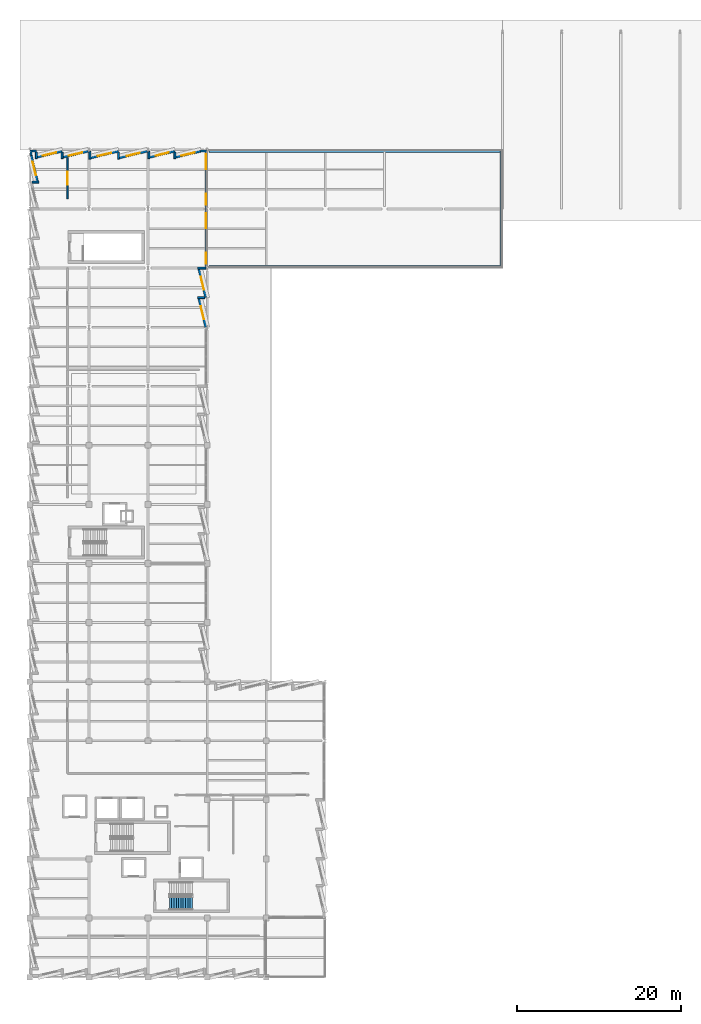
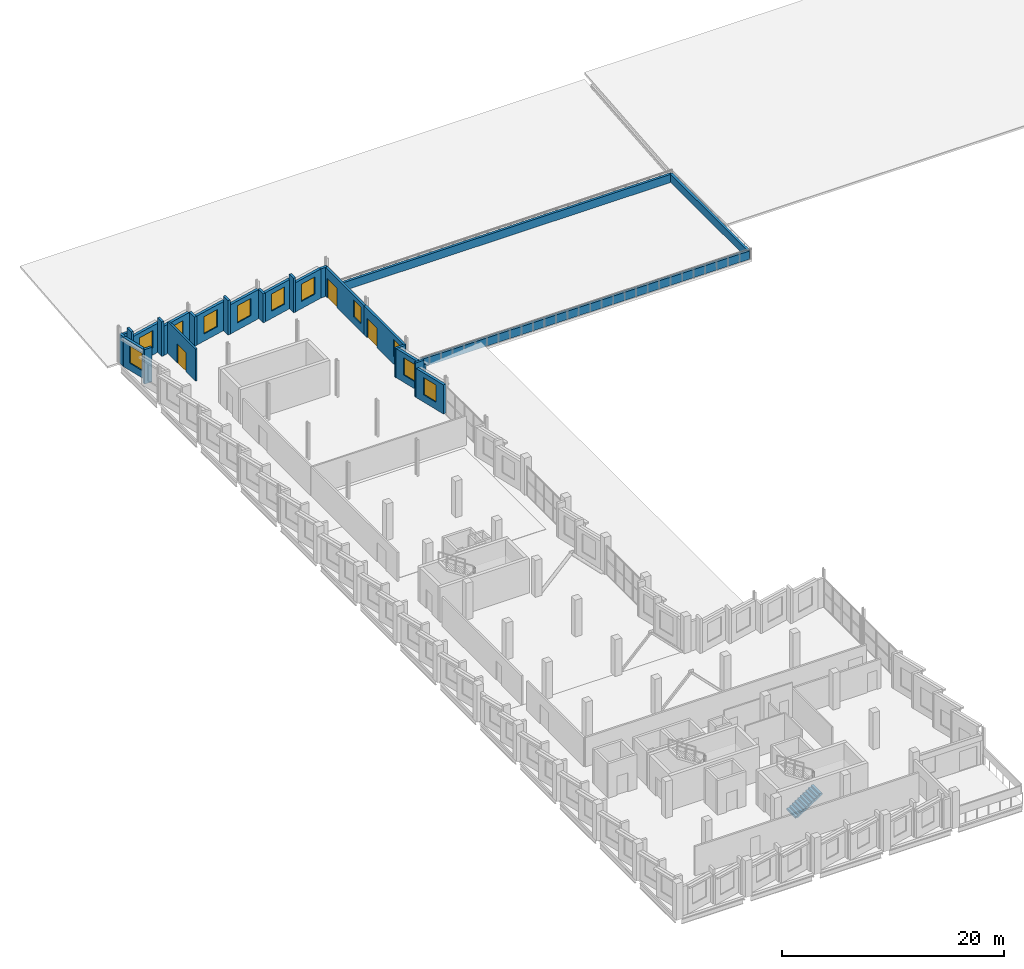
# One storey, part 33 of 38: 27 walls, 11 windows, 3 doors, 1 stair flight, 14 openings, 1 element without a shape of its own.
"""IFC4 building model written with IfcOpenShell, lengths in metres."""

from ifc_helpers import new_model, si_unit, direction, frame, frame_2d, origin, place, context, subcontext, project, spatial, polyline, rectangle, outline, extrude, material, layer, layer_set, type_object, element, fill, aggregate, save


model = new_model("IFC4")

# Units and contexts
model_context = context("Model", 3, precision=1e-05, world=origin(), true_north=direction((0.0, 1.0)))
body_context = subcontext(model_context, "Body", "Model", "MODEL_VIEW")
ifc_project = project(units=[si_unit("LENGTHUNIT", "METRE"), si_unit("AREAUNIT", "SQUARE_METRE"), si_unit("VOLUMEUNIT", "CUBIC_METRE"), si_unit("PLANEANGLEUNIT", "RADIAN"), si_unit("MASSUNIT", "GRAM", prefix="KILO")], contexts=[model_context])

# Site, building, storey
site_placement = place(None, origin())
site = spatial("IfcSite", under=ifc_project, at=site_placement, CompositionType="ELEMENT")
building_placement = place(site_placement, origin())
building = spatial("IfcBuilding", under=site, at=building_placement, Name="Kalmorath City Hall", CompositionType="ELEMENT")
storey_placement = place(building_placement, frame((0.0, 0.0, 18.89990234375)))
storey = spatial("IfcBuildingStorey", under=building, at=storey_placement, Name="L04", CompositionType="ELEMENT", Elevation=18.89990234375)

# Walls
ifc_material_1 = material(Name="Concrete C40/50", Category="concrete")
ifc_layer_1 = layer(ifc_material_1, 0.25)
ifc_layer_set_1 = layer_set([ifc_layer_1], Name="Concrete C40/50")
wall_type_1 = type_object("IfcWallType", Name="Basalt-coped terrace parapet 250", PredefinedType="PARAPET", material=ifc_layer_set_1)
wall_1_placement = place(storey_placement, frame((21.800048828125, 86.60009765625, 0.0), z_axis=(0.0, 0.0, 1.0), x_axis=(1.0, 0.0, 0.0)))
element("IfcWall", 1, at=wall_1_placement, inside=storey, type_object=wall_type_1, Name="L04 parapet PR2-4", PredefinedType="PARAPET", context=body_context, shape_type="SweptSolid", body=[
    extrude(rectangle(XDim=35.599853515625, YDim=0.25, at=frame_2d((17.7998046875, 0.0))), origin(), (0.0, 0.0, 1.0), 0.900146484375),
])
wall_2_placement = place(storey_placement, frame((57.39990234375, 86.60009765625, 0.0), z_axis=(0.0, 0.0, 1.0), x_axis=(0.0, 1.0, 0.0)))
element("IfcWall", 2, at=wall_2_placement, inside=storey, type_object=wall_type_1, Name="L04 parapet PR2-5", PredefinedType="PARAPET", context=body_context, shape_type="SweptSolid", body=[
    extrude(rectangle(XDim=14.0, YDim=0.25, at=frame_2d((7.0, 0.0))), origin(), (0.0, 0.0, 1.0), 0.900146484375),
])
wall_3_placement = place(storey_placement, frame((57.39990234375, 100.60009765625, 0.0), z_axis=(0.0, 0.0, 1.0), x_axis=(-1.0, 0.0, 0.0)))
element("IfcWall", 3, at=wall_3_placement, inside=storey, type_object=wall_type_1, Name="L04 parapet PR2-6", PredefinedType="PARAPET", context=body_context, shape_type="SweptSolid", body=[
    extrude(rectangle(XDim=35.599853515625, YDim=0.25, at=frame_2d((17.7998046875, 0.0))), origin(), (0.0, 0.0, 1.0), 0.900146484375),
])

# Wall, opening, door
ifc_material_2 = material(Name="Fire-rated acoustic gypsum partition")
ifc_layer_2 = layer(ifc_material_2, 0.179931640625)
ifc_layer_set_2 = layer_set([ifc_layer_2], Name="Fire-rated acoustic gypsum partition")
wall_type_2 = type_object("IfcWallType", Name="One-hour corridor fire partition 180", PredefinedType="PARTITIONING", material=ifc_layer_set_2)
wall_4_placement = place(storey_placement, frame((4.60009765625, 94.840087890625, 0.0), z_axis=(0.0, 0.0, 1.0), x_axis=(0.0, 1.0, 0.0)))
wall_4 = element("IfcWall", 4, at=wall_4_placement, inside=storey, type_object=wall_type_2, Name="L04 interior partition PW2 #160", PredefinedType="PARTITIONING", context=body_context, shape_type="SweptSolid", body=[
    extrude(rectangle(XDim=5.02001953125, YDim=0.179931640625, at=frame_2d((2.510009765625, 0.0))), origin(), (0.0, 0.0, 1.0), 3.5380859375),
])
opening_1_placement = place(wall_4_placement, frame((1.7099609375, 0.0, 0.0)))
opening_1 = element("IfcOpeningElement", 5, at=opening_1_placement, cuts=wall_4, Name="Opening D-L04-248", PredefinedType="OPENING", context=body_context, shape_type="SweptSolid", body=[
    extrude(rectangle(XDim=1.60009765625, YDim=2.10009765625, at=frame_2d((0.800048828125, 1.050048828125))), frame((0.0, 0.099853515625, 0.0), z_axis=(0.0, -1.0, 0.0), x_axis=(1.0, 0.0, 0.0)), (0.0, 0.0, 1.0), 0.199951171875),
])
ifc_material_3 = material(Name="Acoustic hardwood fire door", Category="wood")
door_type_1 = type_object("IfcDoorType", Name="Committee double fire door 1600x2100", OperationType="DOUBLE_DOOR_SINGLE_SWING", PredefinedType="DOOR", material=ifc_material_3)
door_1_placement = place(opening_1_placement, origin())
door_1 = element("IfcDoor", 6, at=door_1_placement, inside=storey, type_object=door_type_1, Name="L04 door D-L04-248", OperationType="DOUBLE_DOOR_SINGLE_SWING", OverallHeight=2.10009765625, OverallWidth=1.60009765625, PredefinedType="DOOR", context=body_context, shape_type="SweptSolid", body=[
    extrude(rectangle(XDim=1.60009765625, YDim=2.10009765625, at=frame_2d((0.800048828125, 1.050048828125))), frame((0.0, 0.02490234375, 0.0), z_axis=(0.0, -1.0, 0.0), x_axis=(1.0, 0.0, 0.0)), (0.0, 0.0, 1.0), 0.050048828125),
])
fill(opening_1, door_1)

# Walls
ifc_material_4 = material(Name="Precast concrete C40/50", Category="concrete")
ifc_layer_3 = layer(ifc_material_4, 0.239990234375)
ifc_layer_set_3 = layer_set([ifc_layer_3], Name="Precast concrete C40/50")
wall_type_3 = type_object("IfcWallType", Name="Precast sawtooth cheek wall 240", PredefinedType="SOLIDWALL", material=ifc_layer_set_3)
wall_5_placement = place(storey_placement, frame((1.087646484375, 96.860107421875, 0.0), z_axis=(0.0, 0.0, 1.0), x_axis=(-1.0, 0.0, 0.0)))
element("IfcWall", 7, at=wall_5_placement, inside=storey, type_object=wall_type_3, Name="L04 sawtooth return cheek #802", PredefinedType="SOLIDWALL", context=body_context, shape_type="SweptSolid", body=[
    extrude(rectangle(XDim=0.795654296875, YDim=0.239990234375, at=frame_2d((0.39794921875, 0.0))), origin(), (0.0, 0.0, 1.0), 3.800048828125),
])
wall_6_placement = place(storey_placement, frame((0.782958984375, 99.737060546875, 0.0), z_axis=(0.0, 0.0, 1.0), x_axis=(0.0, 1.0, 0.0)))
element("IfcWall", 8, at=wall_6_placement, inside=storey, type_object=wall_type_3, Name="L04 sawtooth return cheek #805", PredefinedType="SOLIDWALL", context=body_context, shape_type="SweptSolid", body=[
    extrude(rectangle(XDim=0.781005859375, YDim=0.239990234375, at=frame_2d((0.390625, 0.0))), origin(), (0.0, 0.0, 1.0), 3.800048828125),
])
wall_7_placement = place(storey_placement, frame((3.93994140625, 99.737060546875, 0.0), z_axis=(0.0, 0.0, 1.0), x_axis=(0.0, 1.0, 0.0)))
element("IfcWall", 9, at=wall_7_placement, inside=storey, type_object=wall_type_3, Name="L04 sawtooth return cheek #807", PredefinedType="SOLIDWALL", context=body_context, shape_type="SweptSolid", body=[
    extrude(rectangle(XDim=0.77099609375, YDim=0.239990234375, at=frame_2d((0.385498046875, 0.0))), origin(), (0.0, 0.0, 1.0), 3.800048828125),
])
wall_8_placement = place(storey_placement, frame((7.302978515625, 99.655517578125, 0.0), z_axis=(0.0, 0.0, 1.0), x_axis=(0.0, 1.0, 0.0)))
element("IfcWall", 10, at=wall_8_placement, inside=storey, type_object=wall_type_3, Name="L04 sawtooth return cheek #809", PredefinedType="SOLIDWALL", context=body_context, shape_type="SweptSolid", body=[
    extrude(rectangle(XDim=0.967529296875, YDim=0.239990234375, at=frame_2d((0.48388671875, 0.0))), origin(), (0.0, 0.0, 1.0), 3.2060546875),
])
wall_9_placement = place(storey_placement, frame((10.800048828125, 99.655517578125, 0.0), z_axis=(0.0, 0.0, 1.0), x_axis=(0.0, 1.0, 0.0)))
element("IfcWall", 11, at=wall_9_placement, inside=storey, type_object=wall_type_3, Name="L04 sawtooth return cheek #811", PredefinedType="SOLIDWALL", context=body_context, shape_type="SweptSolid", body=[
    extrude(rectangle(XDim=0.8525390625, YDim=0.239990234375, at=frame_2d((0.42626953125, 0.0))), origin(), (0.0, 0.0, 1.0), 3.800048828125),
])
wall_10_placement = place(storey_placement, frame((14.5029296875, 99.737060546875, 0.0), z_axis=(0.0, 0.0, 1.0), x_axis=(0.0, 1.0, 0.0)))
element("IfcWall", 12, at=wall_10_placement, inside=storey, type_object=wall_type_3, Name="L04 sawtooth return cheek #814", PredefinedType="SOLIDWALL", context=body_context, shape_type="SweptSolid", body=[
    extrude(rectangle(XDim=0.885986328125, YDim=0.239990234375, at=frame_2d((0.44287109375, 0.0))), origin(), (0.0, 0.0, 1.0), 3.2060546875),
])
wall_11_placement = place(storey_placement, frame((17.659912109375, 99.737060546875, 0.0), z_axis=(0.0, 0.0, 1.0), x_axis=(0.0, 1.0, 0.0)))
element("IfcWall", 13, at=wall_11_placement, inside=storey, type_object=wall_type_3, Name="L04 sawtooth return cheek #816", PredefinedType="SOLIDWALL", context=body_context, shape_type="SweptSolid", body=[
    extrude(rectangle(XDim=0.77099609375, YDim=0.239990234375, at=frame_2d((0.385498046875, 0.0))), origin(), (0.0, 0.0, 1.0), 3.800048828125),
])
wall_12_placement = place(storey_placement, frame((20.4306640625, 86.39990234375, 0.0), z_axis=(0.0, 0.0, 1.0), x_axis=(1.0, 0.0, 0.0)))
element("IfcWall", 14, at=wall_12_placement, inside=storey, type_object=wall_type_3, Name="L04 sawtooth return cheek #820", PredefinedType="SOLIDWALL", context=body_context, shape_type="SweptSolid", body=[
    extrude(rectangle(XDim=1.029296875, YDim=0.239990234375, at=frame_2d((0.5146484375, 0.0))), origin(), (0.0, 0.0, 1.0), 3.2080078125),
])
wall_13_placement = place(storey_placement, frame((20.4306640625, 82.800048828125, 0.0), z_axis=(0.0, 0.0, 1.0), x_axis=(1.0, 0.0, 0.0)))
element("IfcWall", 15, at=wall_13_placement, inside=storey, type_object=wall_type_3, Name="L04 sawtooth return cheek #822", PredefinedType="SOLIDWALL", context=body_context, shape_type="SweptSolid", body=[
    extrude(rectangle(XDim=0.87744140625, YDim=0.239990234375, at=frame_2d((0.438720703125, 0.0))), origin(), (0.0, 0.0, 1.0), 3.800048828125),
])

# Wall, opening, window
ifc_material_5 = material(Name="Precast concrete C40/50", Category="concrete")
ifc_layer_4 = layer(ifc_material_5, 0.280029296875)
ifc_layer_set_4 = layer_set([ifc_layer_4], Name="Precast concrete C40/50")
wall_type_4 = type_object("IfcWallType", Name="Precast sawtooth facade wall 280", PredefinedType="SOLIDWALL", material=ifc_layer_set_4)
wall_14_placement = place(storey_placement, frame((0.92041015625, 96.952392578125, 0.0), z_axis=(0.0, 0.0, 1.0), x_axis=(-0.233443812137, 0.972370292931, 0.0)))
wall_14 = element("IfcWall", 16, at=wall_14_placement, inside=storey, type_object=wall_type_4, Name="L04 sawtooth precast frame #801", PredefinedType="SOLIDWALL", context=body_context, shape_type="SweptSolid", body=[
    extrude(rectangle(XDim=3.2578125, YDim=0.280029296875, at=frame_2d((1.62890625, 0.0))), origin(), (0.0, 0.0, 1.0), 3.216064453125),
])
opening_2_placement = place(wall_14_placement, frame((0.8037109375, 0.0, 0.800048828125)))
opening_2 = element("IfcOpeningElement", 17, at=opening_2_placement, cuts=wall_14, Name="Opening WN2", PredefinedType="OPENING", context=body_context, shape_type="SweptSolid", body=[
    extrude(rectangle(XDim=1.64990234375, YDim=1.89990234375, at=frame_2d((0.824951171875, 0.949951171875))), frame((0.0, 0.14990234375, 0.0), z_axis=(0.0, -1.0, 0.0), x_axis=(1.0, 0.0, 0.0)), (0.0, 0.0, 1.0), 0.300048828125),
])
ifc_material_6 = material(Name="Aluminium and laminated glass", Category="aluminium")
window_type_1 = type_object("IfcWindowType", Name="Sawtooth hurricane window 1650x1900", PartitioningType="SINGLE_PANEL", PredefinedType="WINDOW", material=ifc_material_6)
window_1_placement = place(opening_2_placement, origin())
window_1 = element("IfcWindow", 18, at=window_1_placement, inside=storey, type_object=window_type_1, Name="L04 window WN2-419", OverallHeight=1.89990234375, OverallWidth=1.64990234375, PartitioningType="SINGLE_PANEL", PredefinedType="WINDOW", context=body_context, shape_type="SweptSolid", body=[
    extrude(rectangle(XDim=1.64990234375, YDim=1.89990234375, at=frame_2d((0.824951171875, 0.949951171875))), frame((0.0, 0.030029296875, 0.0), z_axis=(0.0, -1.0, 0.0), x_axis=(1.0, 0.0, 0.0)), (0.0, 0.0, 1.0), 0.06005859375),
])
fill(opening_2, window_1)

wall_15_placement = place(storey_placement, frame((0.87548828125, 99.904296875, 0.0), z_axis=(0.0, 0.0, 1.0), x_axis=(0.972378159778, 0.233411041699, 0.0)))
wall_15 = element("IfcWall", 19, at=wall_15_placement, inside=storey, type_object=wall_type_4, Name="L04 sawtooth precast frame #804", PredefinedType="SOLIDWALL", context=body_context, shape_type="SweptSolid", body=[
    extrude(rectangle(XDim=3.151611328125, YDim=0.280029296875, at=frame_2d((1.57568359375, 0.0))), origin(), (0.0, 0.0, 1.0), 3.216064453125),
])
opening_3_placement = place(wall_15_placement, frame((0.7509765625, 0.0, 0.800048828125)))
opening_3 = element("IfcOpeningElement", 20, at=opening_3_placement, cuts=wall_15, Name="Opening WN2", PredefinedType="OPENING", context=body_context, shape_type="SweptSolid", body=[
    extrude(rectangle(XDim=1.64990234375, YDim=1.89990234375, at=frame_2d((0.824951171875, 0.949951171875))), frame((0.0, 0.14990234375, 0.0), z_axis=(0.0, -1.0, 0.0), x_axis=(1.0, 0.0, 0.0)), (0.0, 0.0, 1.0), 0.300048828125),
])
window_2_placement = place(opening_3_placement, origin())
window_2 = element("IfcWindow", 21, at=window_2_placement, inside=storey, type_object=window_type_1, Name="L04 window WN2-420", OverallHeight=1.89990234375, OverallWidth=1.64990234375, PartitioningType="SINGLE_PANEL", PredefinedType="WINDOW", context=body_context, shape_type="SweptSolid", body=[
    extrude(rectangle(XDim=1.64990234375, YDim=1.89990234375, at=frame_2d((0.824951171875, 0.949951171875))), frame((0.0, 0.030029296875, 0.0), z_axis=(0.0, -1.0, 0.0), x_axis=(1.0, 0.0, 0.0)), (0.0, 0.0, 1.0), 0.06005859375),
])
fill(opening_3, window_2)

wall_16_placement = place(storey_placement, frame((4.032470703125, 99.904296875, 0.0), z_axis=(0.0, 0.0, 1.0), x_axis=(0.972378159778, 0.233411041699, 0.0)))
wall_16 = element("IfcWall", 22, at=wall_16_placement, inside=storey, type_object=wall_type_4, Name="L04 sawtooth precast frame #806", PredefinedType="SOLIDWALL", context=body_context, shape_type="SweptSolid", body=[
    extrude(rectangle(XDim=3.151611328125, YDim=0.280029296875, at=frame_2d((1.57568359375, 0.0))), origin(), (0.0, 0.0, 1.0), 3.216064453125),
])
opening_4_placement = place(wall_16_placement, frame((0.7509765625, 0.0, 0.800048828125)))
opening_4 = element("IfcOpeningElement", 23, at=opening_4_placement, cuts=wall_16, Name="Opening WN2", PredefinedType="OPENING", context=body_context, shape_type="SweptSolid", body=[
    extrude(rectangle(XDim=1.64990234375, YDim=1.89990234375, at=frame_2d((0.824951171875, 0.949951171875))), frame((0.0, 0.14990234375, 0.0), z_axis=(0.0, -1.0, 0.0), x_axis=(1.0, 0.0, 0.0)), (0.0, 0.0, 1.0), 0.300048828125),
])
window_3_placement = place(opening_4_placement, origin())
window_3 = element("IfcWindow", 24, at=window_3_placement, inside=storey, type_object=window_type_1, Name="L04 window WN2-421", OverallHeight=1.89990234375, OverallWidth=1.64990234375, PartitioningType="SINGLE_PANEL", PredefinedType="WINDOW", context=body_context, shape_type="SweptSolid", body=[
    extrude(rectangle(XDim=1.64990234375, YDim=1.89990234375, at=frame_2d((0.824951171875, 0.949951171875))), frame((0.0, 0.030029296875, 0.0), z_axis=(0.0, -1.0, 0.0), x_axis=(1.0, 0.0, 0.0)), (0.0, 0.0, 1.0), 0.06005859375),
])
fill(opening_4, window_3)

wall_17_placement = place(storey_placement, frame((7.3955078125, 99.822509765625, 0.0), z_axis=(0.0, 0.0, 1.0), x_axis=(0.972368310583, 0.233452069117, 0.0)))
wall_17 = element("IfcWall", 25, at=wall_17_placement, inside=storey, type_object=wall_type_4, Name="L04 sawtooth precast frame #808", PredefinedType="SOLIDWALL", context=body_context, shape_type="SweptSolid", body=[
    extrude(rectangle(XDim=3.501220703125, YDim=0.280029296875, at=frame_2d((1.75048828125, 0.0))), origin(), (0.0, 0.0, 1.0), 3.2060546875),
])
opening_5_placement = place(wall_17_placement, frame((0.92578125, 0.0, 0.800048828125)))
opening_5 = element("IfcOpeningElement", 26, at=opening_5_placement, cuts=wall_17, Name="Opening WN2", PredefinedType="OPENING", context=body_context, shape_type="SweptSolid", body=[
    extrude(rectangle(XDim=1.64990234375, YDim=1.89990234375, at=frame_2d((0.824951171875, 0.949951171875))), frame((0.0, 0.14990234375, 0.0), z_axis=(0.0, -1.0, 0.0), x_axis=(1.0, 0.0, 0.0)), (0.0, 0.0, 1.0), 0.300048828125),
])
window_4_placement = place(opening_5_placement, origin())
window_4 = element("IfcWindow", 27, at=window_4_placement, inside=storey, type_object=window_type_1, Name="L04 window WN2-422", OverallHeight=1.89990234375, OverallWidth=1.64990234375, PartitioningType="SINGLE_PANEL", PredefinedType="WINDOW", context=body_context, shape_type="SweptSolid", body=[
    extrude(rectangle(XDim=1.64990234375, YDim=1.89990234375, at=frame_2d((0.824951171875, 0.949951171875))), frame((0.0, 0.030029296875, 0.0), z_axis=(0.0, -1.0, 0.0), x_axis=(1.0, 0.0, 0.0)), (0.0, 0.0, 1.0), 0.06005859375),
])
fill(opening_5, window_4)

wall_18_placement = place(storey_placement, frame((10.892333984375, 99.822509765625, 0.0), z_axis=(0.0, 0.0, 1.0), x_axis=(0.972372110407, 0.233436241621, 0.0)))
wall_18 = element("IfcWall", 28, at=wall_18_placement, inside=storey, type_object=wall_type_4, Name="L04 sawtooth precast frame #810", PredefinedType="SOLIDWALL", context=body_context, shape_type="SweptSolid", body=[
    extrude(rectangle(XDim=3.50146484375, YDim=0.280029296875, at=frame_2d((1.750732421875, 0.0))), origin(), (0.0, 0.0, 1.0), 3.216064453125),
])
opening_6_placement = place(wall_18_placement, frame((0.92578125, 0.0, 0.800048828125)))
opening_6 = element("IfcOpeningElement", 29, at=opening_6_placement, cuts=wall_18, Name="Opening WN2", PredefinedType="OPENING", context=body_context, shape_type="SweptSolid", body=[
    extrude(rectangle(XDim=1.64990234375, YDim=1.89990234375, at=frame_2d((0.824951171875, 0.949951171875))), frame((0.0, 0.14990234375, 0.0), z_axis=(0.0, -1.0, 0.0), x_axis=(1.0, 0.0, 0.0)), (0.0, 0.0, 1.0), 0.300048828125),
])
window_5_placement = place(opening_6_placement, origin())
window_5 = element("IfcWindow", 30, at=window_5_placement, inside=storey, type_object=window_type_1, Name="L04 window WN2-423", OverallHeight=1.89990234375, OverallWidth=1.64990234375, PartitioningType="SINGLE_PANEL", PredefinedType="WINDOW", context=body_context, shape_type="SweptSolid", body=[
    extrude(rectangle(XDim=1.64990234375, YDim=1.89990234375, at=frame_2d((0.824951171875, 0.949951171875))), frame((0.0, 0.030029296875, 0.0), z_axis=(0.0, -1.0, 0.0), x_axis=(1.0, 0.0, 0.0)), (0.0, 0.0, 1.0), 0.06005859375),
])
fill(opening_6, window_5)

wall_19_placement = place(storey_placement, frame((14.595458984375, 99.904296875, 0.0), z_axis=(0.0, 0.0, 1.0), x_axis=(0.972378159778, 0.233411041699, 0.0)))
wall_19 = element("IfcWall", 31, at=wall_19_placement, inside=storey, type_object=wall_type_4, Name="L04 sawtooth precast frame #813", PredefinedType="SOLIDWALL", context=body_context, shape_type="SweptSolid", body=[
    extrude(rectangle(XDim=3.151611328125, YDim=0.280029296875, at=frame_2d((1.57568359375, 0.0))), origin(), (0.0, 0.0, 1.0), 3.2060546875),
])
opening_7_placement = place(wall_19_placement, frame((0.7509765625, 0.0, 0.800048828125)))
opening_7 = element("IfcOpeningElement", 32, at=opening_7_placement, cuts=wall_19, Name="Opening WN2", PredefinedType="OPENING", context=body_context, shape_type="SweptSolid", body=[
    extrude(rectangle(XDim=1.64990234375, YDim=1.89990234375, at=frame_2d((0.824951171875, 0.949951171875))), frame((0.0, 0.14990234375, 0.0), z_axis=(0.0, -1.0, 0.0), x_axis=(1.0, 0.0, 0.0)), (0.0, 0.0, 1.0), 0.300048828125),
])
window_6_placement = place(opening_7_placement, origin())
window_6 = element("IfcWindow", 33, at=window_6_placement, inside=storey, type_object=window_type_1, Name="L04 window WN2-424", OverallHeight=1.89990234375, OverallWidth=1.64990234375, PartitioningType="SINGLE_PANEL", PredefinedType="WINDOW", context=body_context, shape_type="SweptSolid", body=[
    extrude(rectangle(XDim=1.64990234375, YDim=1.89990234375, at=frame_2d((0.824951171875, 0.949951171875))), frame((0.0, 0.030029296875, 0.0), z_axis=(0.0, -1.0, 0.0), x_axis=(1.0, 0.0, 0.0)), (0.0, 0.0, 1.0), 0.06005859375),
])
fill(opening_7, window_6)

wall_20_placement = place(storey_placement, frame((17.75244140625, 99.904296875, 0.0), z_axis=(0.0, 0.0, 1.0), x_axis=(0.972378159778, 0.233411041699, 0.0)))
wall_20 = element("IfcWall", 34, at=wall_20_placement, inside=storey, type_object=wall_type_4, Name="L04 sawtooth precast frame #815", PredefinedType="SOLIDWALL", context=body_context, shape_type="SweptSolid", body=[
    extrude(rectangle(XDim=3.151611328125, YDim=0.280029296875, at=frame_2d((1.57568359375, 0.0))), origin(), (0.0, 0.0, 1.0), 3.216064453125),
])
opening_8_placement = place(wall_20_placement, frame((0.7509765625, 0.0, 0.800048828125)))
opening_8 = element("IfcOpeningElement", 35, at=opening_8_placement, cuts=wall_20, Name="Opening WN2", PredefinedType="OPENING", context=body_context, shape_type="SweptSolid", body=[
    extrude(rectangle(XDim=1.64990234375, YDim=1.89990234375, at=frame_2d((0.824951171875, 0.949951171875))), frame((0.0, 0.14990234375, 0.0), z_axis=(0.0, -1.0, 0.0), x_axis=(1.0, 0.0, 0.0)), (0.0, 0.0, 1.0), 0.300048828125),
])
window_7_placement = place(opening_8_placement, origin())
window_7 = element("IfcWindow", 36, at=window_7_placement, inside=storey, type_object=window_type_1, Name="L04 window WN2-425", OverallHeight=1.89990234375, OverallWidth=1.64990234375, PartitioningType="SINGLE_PANEL", PredefinedType="WINDOW", context=body_context, shape_type="SweptSolid", body=[
    extrude(rectangle(XDim=1.64990234375, YDim=1.89990234375, at=frame_2d((0.824951171875, 0.949951171875))), frame((0.0, 0.030029296875, 0.0), z_axis=(0.0, -1.0, 0.0), x_axis=(1.0, 0.0, 0.0)), (0.0, 0.0, 1.0), 0.06005859375),
])
fill(opening_8, window_7)

wall_21_placement = place(storey_placement, frame((20.597900390625, 86.3076171875, 0.0), z_axis=(0.0, 0.0, 1.0), x_axis=(0.233431827365, -0.972373170122, 0.0)))
wall_21 = element("IfcWall", 37, at=wall_21_placement, inside=storey, type_object=wall_type_4, Name="L04 sawtooth precast frame #819", PredefinedType="SOLIDWALL", context=body_context, shape_type="SweptSolid", body=[
    extrude(rectangle(XDim=3.607177734375, YDim=0.280029296875, at=frame_2d((1.8037109375, 0.0))), origin(), (0.0, 0.0, 1.0), 3.2080078125),
])
opening_9_placement = place(wall_21_placement, frame((0.978515625, 0.0, 0.800048828125)))
opening_9 = element("IfcOpeningElement", 38, at=opening_9_placement, cuts=wall_21, Name="Opening WN2", PredefinedType="OPENING", context=body_context, shape_type="SweptSolid", body=[
    extrude(rectangle(XDim=1.64990234375, YDim=1.89990234375, at=frame_2d((0.824951171875, 0.949951171875))), frame((0.0, 0.14990234375, 0.0), z_axis=(0.0, -1.0, 0.0), x_axis=(1.0, 0.0, 0.0)), (0.0, 0.0, 1.0), 0.300048828125),
])
window_8_placement = place(opening_9_placement, origin())
window_8 = element("IfcWindow", 39, at=window_8_placement, inside=storey, type_object=window_type_1, Name="L04 window WN2-428", OverallHeight=1.89990234375, OverallWidth=1.64990234375, PartitioningType="SINGLE_PANEL", PredefinedType="WINDOW", context=body_context, shape_type="SweptSolid", body=[
    extrude(rectangle(XDim=1.64990234375, YDim=1.89990234375, at=frame_2d((0.824951171875, 0.949951171875))), frame((0.0, 0.030029296875, 0.0), z_axis=(0.0, -1.0, 0.0), x_axis=(1.0, 0.0, 0.0)), (0.0, 0.0, 1.0), 0.06005859375),
])
fill(opening_9, window_8)

wall_22_placement = place(storey_placement, frame((20.597900390625, 82.70751953125, 0.0), z_axis=(0.0, 0.0, 1.0), x_axis=(0.233431827365, -0.972373170122, 0.0)))
wall_22 = element("IfcWall", 40, at=wall_22_placement, inside=storey, type_object=wall_type_4, Name="L04 sawtooth precast frame #821", PredefinedType="SOLIDWALL", context=body_context, shape_type="SweptSolid", body=[
    extrude(rectangle(XDim=3.607177734375, YDim=0.280029296875, at=frame_2d((1.8037109375, 0.0))), origin(), (0.0, 0.0, 1.0), 3.2080078125),
])
opening_10_placement = place(wall_22_placement, frame((0.978515625, 0.0, 0.800048828125)))
opening_10 = element("IfcOpeningElement", 41, at=opening_10_placement, cuts=wall_22, Name="Opening WN2", PredefinedType="OPENING", context=body_context, shape_type="SweptSolid", body=[
    extrude(rectangle(XDim=1.64990234375, YDim=1.89990234375, at=frame_2d((0.824951171875, 0.949951171875))), frame((0.0, 0.14990234375, 0.0), z_axis=(0.0, -1.0, 0.0), x_axis=(1.0, 0.0, 0.0)), (0.0, 0.0, 1.0), 0.300048828125),
])
window_9_placement = place(opening_10_placement, origin())
window_9 = element("IfcWindow", 42, at=window_9_placement, inside=storey, type_object=window_type_1, Name="L04 window WN2-429", OverallHeight=1.89990234375, OverallWidth=1.64990234375, PartitioningType="SINGLE_PANEL", PredefinedType="WINDOW", context=body_context, shape_type="SweptSolid", body=[
    extrude(rectangle(XDim=1.64990234375, YDim=1.89990234375, at=frame_2d((0.824951171875, 0.949951171875))), frame((0.0, 0.030029296875, 0.0), z_axis=(0.0, -1.0, 0.0), x_axis=(1.0, 0.0, 0.0)), (0.0, 0.0, 1.0), 0.06005859375),
])
fill(opening_10, window_9)

# Walls
ifc_material_7 = material(Name="Precast concrete C40/50", Category="concrete")
ifc_layer_5 = layer(ifc_material_7, 0.260009765625)
ifc_layer_set_5 = layer_set([ifc_layer_5], Name="Precast concrete C40/50")
wall_type_5 = type_object("IfcWallType", Name="Precast sawtooth return wall 260", PredefinedType="SOLIDWALL", material=ifc_layer_set_5)
for number, where, z_axis, x_axis, name in (
    (43, (0.159912109375, 100.1201171875, 0.0), (0.0, 0.0, 1.0), (0.0, 1.0, 0.0), "L04 corner pier wall #798"),
    (44, (0.10302734375, 100.639892578125, 0.0), (0.0, 0.0, 1.0), (1.0, 0.0, 0.0), "L04 corner pier wall #803"),
):
    element("IfcWall", number, at=place(storey_placement, frame(where, z_axis=z_axis, x_axis=x_axis)), inside=storey, type_object=wall_type_5, Name=name, PredefinedType="SOLIDWALL", context=body_context, shape_type="SweptSolid", body=[
        extrude(rectangle(XDim=0.679931640625, YDim=0.260009765625, at=frame_2d((0.33984375, 0.0))), origin(), (0.0, 0.0, 1.0), 3.216064453125),
    ])
wall_23_placement = place(storey_placement, frame((20.81689453125, 100.639892578125, 0.0), z_axis=(0.0, 0.0, 1.0), x_axis=(1.0, 0.0, 0.0)))
element("IfcWall", 45, at=wall_23_placement, inside=storey, type_object=wall_type_5, Name="L04 corner pier wall #812", PredefinedType="SOLIDWALL", context=body_context, shape_type="SweptSolid", body=[
    extrude(rectangle(XDim=0.68017578125, YDim=0.260009765625, at=frame_2d((0.340087890625, 0.0))), origin(), (0.0, 0.0, 1.0), 3.216064453125),
])

# Wall, openings, door, window
ifc_material_8 = material(Name="Precast concrete C40/50", Category="concrete")
ifc_layer_6 = layer(ifc_material_8, 0.239990234375)
ifc_layer_set_6 = layer_set([ifc_layer_6], Name="Precast concrete C40/50")
wall_type_6 = type_object("IfcWallType", Name="Recessed loggia insulated wall 240", PredefinedType="SOLIDWALL", material=ifc_layer_set_6)
wall_24_placement = place(storey_placement, frame((21.4599609375, 100.800048828125, 0.0), z_axis=(0.0, 0.0, 1.0), x_axis=(0.0, -1.0, 0.0)))
wall_24 = element("IfcWall", 46, at=wall_24_placement, inside=storey, type_object=wall_type_6, Name="L04 loggia wall #817", PredefinedType="SOLIDWALL", context=body_context, shape_type="SweptSolid", body=[
    extrude(rectangle(XDim=7.199951171875, YDim=0.239990234375, at=frame_2d((3.60009765625, 0.0))), origin(), (0.0, 0.0, 1.0), 3.2080078125),
])
opening_11_placement = place(wall_24_placement, frame((0.550048828125, 0.0, 0.0)))
opening_11 = element("IfcOpeningElement", 47, at=opening_11_placement, cuts=wall_24, Name="Opening D-E029", PredefinedType="OPENING", context=body_context, shape_type="SweptSolid", body=[
    extrude(rectangle(XDim=1.800048828125, YDim=2.14990234375, at=frame_2d((0.89990234375, 1.074951171875))), frame((0.0, 0.1298828125, 0.0), z_axis=(0.0, -1.0, 0.0), x_axis=(1.0, 0.0, 0.0)), (0.0, 0.0, 1.0), 0.260009765625),
])
opening_12_placement = place(wall_24_placement, frame((5.35009765625, 0.0, 0.85009765625)))
opening_12 = element("IfcOpeningElement", 48, at=opening_12_placement, cuts=wall_24, Name="Opening WN17", PredefinedType="OPENING", context=body_context, shape_type="SweptSolid", body=[
    extrude(rectangle(XDim=1.35009765625, YDim=1.85009765625, at=frame_2d((0.675048828125, 0.925048828125))), frame((0.0, 0.1298828125, 0.0), z_axis=(0.0, -1.0, 0.0), x_axis=(1.0, 0.0, 0.0)), (0.0, 0.0, 1.0), 0.260009765625),
])
ifc_material_9 = material(Name="Bronze-anodised aluminium and glass", Category="aluminium")
door_type_2 = type_object("IfcDoorType", Name="Roof garden double terrace door 1800x2150", OperationType="DOUBLE_DOOR_SINGLE_SWING", PredefinedType="DOOR", material=ifc_material_9)
door_2_placement = place(opening_11_placement, origin())
door_2 = element("IfcDoor", 49, at=door_2_placement, inside=storey, type_object=door_type_2, Name="L04 exterior door D-E029", OperationType="DOUBLE_DOOR_SINGLE_SWING", OverallHeight=2.14990234375, OverallWidth=1.800048828125, PredefinedType="DOOR", context=body_context, shape_type="SweptSolid", body=[
    extrude(rectangle(XDim=1.800048828125, YDim=2.14990234375, at=frame_2d((0.89990234375, 1.074951171875))), frame((0.0, 0.02490234375, 0.0), z_axis=(0.0, -1.0, 0.0), x_axis=(1.0, 0.0, 0.0)), (0.0, 0.0, 1.0), 0.050048828125),
])
fill(opening_11, door_2)
ifc_material_10 = material(Name="Hardwood-trimmed laminated glass", Category="wood")
window_type_2 = type_object("IfcWindowType", Name="Terrace overlook window 1350x1850", PartitioningType="SINGLE_PANEL", PredefinedType="WINDOW", material=ifc_material_10)
window_10_placement = place(opening_12_placement, origin())
window_10 = element("IfcWindow", 50, at=window_10_placement, inside=storey, type_object=window_type_2, Name="L04 window WN17-426", OverallHeight=1.85009765625, OverallWidth=1.35009765625, PartitioningType="SINGLE_PANEL", PredefinedType="WINDOW", context=body_context, shape_type="SweptSolid", body=[
    extrude(rectangle(XDim=1.35009765625, YDim=1.85009765625, at=frame_2d((0.675048828125, 0.925048828125))), frame((0.0, 0.030029296875, 0.0), z_axis=(0.0, -1.0, 0.0), x_axis=(1.0, 0.0, 0.0)), (0.0, 0.0, 1.0), 0.06005859375),
])
fill(opening_12, window_10)

wall_25_placement = place(storey_placement, frame((21.4599609375, 93.60009765625, 0.0), z_axis=(0.0, 0.0, 1.0), x_axis=(0.0, -1.0, 0.0)))
wall_25 = element("IfcWall", 51, at=wall_25_placement, inside=storey, type_object=wall_type_6, Name="L04 loggia wall #818", PredefinedType="SOLIDWALL", context=body_context, shape_type="SweptSolid", body=[
    extrude(rectangle(XDim=7.2001953125, YDim=0.239990234375, at=frame_2d((3.60009765625, 0.0))), origin(), (0.0, 0.0, 1.0), 3.2080078125),
])
opening_13_placement = place(wall_25_placement, frame((0.550048828125, 0.0, 0.0)))
opening_13 = element("IfcOpeningElement", 52, at=opening_13_placement, cuts=wall_25, Name="Opening D-E030", PredefinedType="OPENING", context=body_context, shape_type="SweptSolid", body=[
    extrude(rectangle(XDim=1.800048828125, YDim=2.14990234375, at=frame_2d((0.89990234375, 1.074951171875))), frame((0.0, 0.1298828125, 0.0), z_axis=(0.0, -1.0, 0.0), x_axis=(1.0, 0.0, 0.0)), (0.0, 0.0, 1.0), 0.260009765625),
])
opening_14_placement = place(wall_25_placement, frame((5.35009765625, 0.0, 0.85009765625)))
opening_14 = element("IfcOpeningElement", 53, at=opening_14_placement, cuts=wall_25, Name="Opening WN17", PredefinedType="OPENING", context=body_context, shape_type="SweptSolid", body=[
    extrude(rectangle(XDim=1.35009765625, YDim=1.85009765625, at=frame_2d((0.675048828125, 0.925048828125))), frame((0.0, 0.1298828125, 0.0), z_axis=(0.0, -1.0, 0.0), x_axis=(1.0, 0.0, 0.0)), (0.0, 0.0, 1.0), 0.260009765625),
])
door_3_placement = place(opening_13_placement, origin())
door_3 = element("IfcDoor", 54, at=door_3_placement, inside=storey, type_object=door_type_2, Name="L04 exterior door D-E030", OperationType="DOUBLE_DOOR_SINGLE_SWING", OverallHeight=2.14990234375, OverallWidth=1.800048828125, PredefinedType="DOOR", context=body_context, shape_type="SweptSolid", body=[
    extrude(rectangle(XDim=1.800048828125, YDim=2.14990234375, at=frame_2d((0.89990234375, 1.074951171875))), frame((0.0, 0.02490234375, 0.0), z_axis=(0.0, -1.0, 0.0), x_axis=(1.0, 0.0, 0.0)), (0.0, 0.0, 1.0), 0.050048828125),
])
fill(opening_13, door_3)
window_11_placement = place(opening_14_placement, origin())
window_11 = element("IfcWindow", 55, at=window_11_placement, inside=storey, type_object=window_type_2, Name="L04 window WN17-427", OverallHeight=1.85009765625, OverallWidth=1.35009765625, PartitioningType="SINGLE_PANEL", PredefinedType="WINDOW", context=body_context, shape_type="SweptSolid", body=[
    extrude(rectangle(XDim=1.35009765625, YDim=1.85009765625, at=frame_2d((0.675048828125, 0.925048828125))), frame((0.0, 0.030029296875, 0.0), z_axis=(0.0, -1.0, 0.0), x_axis=(1.0, 0.0, 0.0)), (0.0, 0.0, 1.0), 0.06005859375),
])
fill(opening_14, window_11)

# Stair, stair flight
ifc_material_11 = material(Name="Concrete C40/50", Category="concrete")
stair_type = type_object("IfcStairType", Name="Dogleg concrete exit stair 22R x 184mm W1600", PredefinedType="HALF_TURN_STAIR", material=ifc_material_11)
stair_placement = place(storey_placement, origin())
stair = element("IfcStair", 56, at=stair_placement, inside=storey, type_object=stair_type, Name="L04 Protected exit stair ST-2", PredefinedType="HALF_TURN_STAIR")
ifc_material_12 = material(Name="Concrete C40/50", Category="concrete")
stair_flight_type = type_object("IfcStairFlightType", Name="Concrete stair flight 184x280 W1600", PredefinedType="STRAIGHT", material=ifc_material_12)
stair_flight_placement = place(storey_placement, frame((17.0, 9.0, 0.0), z_axis=(0.0, 0.0, 1.0), x_axis=(1.0, 0.0, 0.0)))
stair_flight = element("IfcStairFlight", 57, at=stair_flight_placement, type_object=stair_flight_type, Name="ST-2 flight 1", NumberOfRisers=11, NumberOfTreads=10, PredefinedType="STRAIGHT", RiserHeight=0.184090909, TreadLength=0.28, context=body_context, shape_type="SweptSolid", body=[
    extrude(outline(polyline([(0.0, 0.0), (0.0, 0.18408203125), (0.280029296875, 0.18408203125), (0.280029296875, 0.3681640625), (0.56005859375, 0.3681640625), (0.56005859375, 0.55224609375), (0.840087890625, 0.55224609375), (0.840087890625, 0.736328125), (1.1201171875, 0.736328125), (1.1201171875, 0.92041015625), (1.39990234375, 0.92041015625), (1.39990234375, 1.1044921875), (1.679931640625, 1.1044921875), (1.679931640625, 1.28857421875), (1.9599609375, 1.28857421875), (1.9599609375, 1.47265625), (2.239990234375, 1.47265625), (2.239990234375, 1.65673828125), (2.52001953125, 1.65673828125), (2.52001953125, 1.8408203125), (2.800048828125, 1.8408203125), (2.800048828125, 2.02490234375), (2.800048828125, 1.66162109375), (0.27294921875, 0.0), (0.0, 0.0)])), frame((0.0, 0.800048828125, 0.0), z_axis=(0.0, -1.0, 0.0), x_axis=(1.0, 0.0, 0.0)), (0.0, 0.0, 1.0), 1.60009765625),
])
aggregate(stair, [stair_flight])

save(model, "model.ifc")
